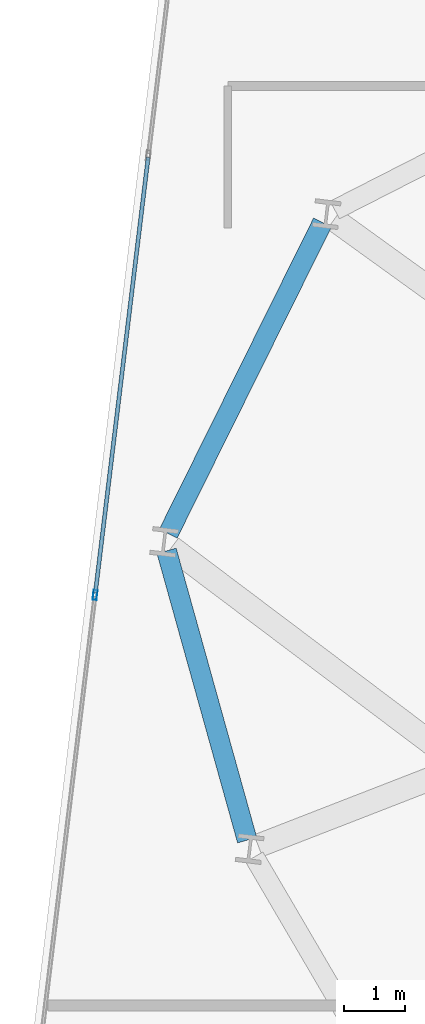
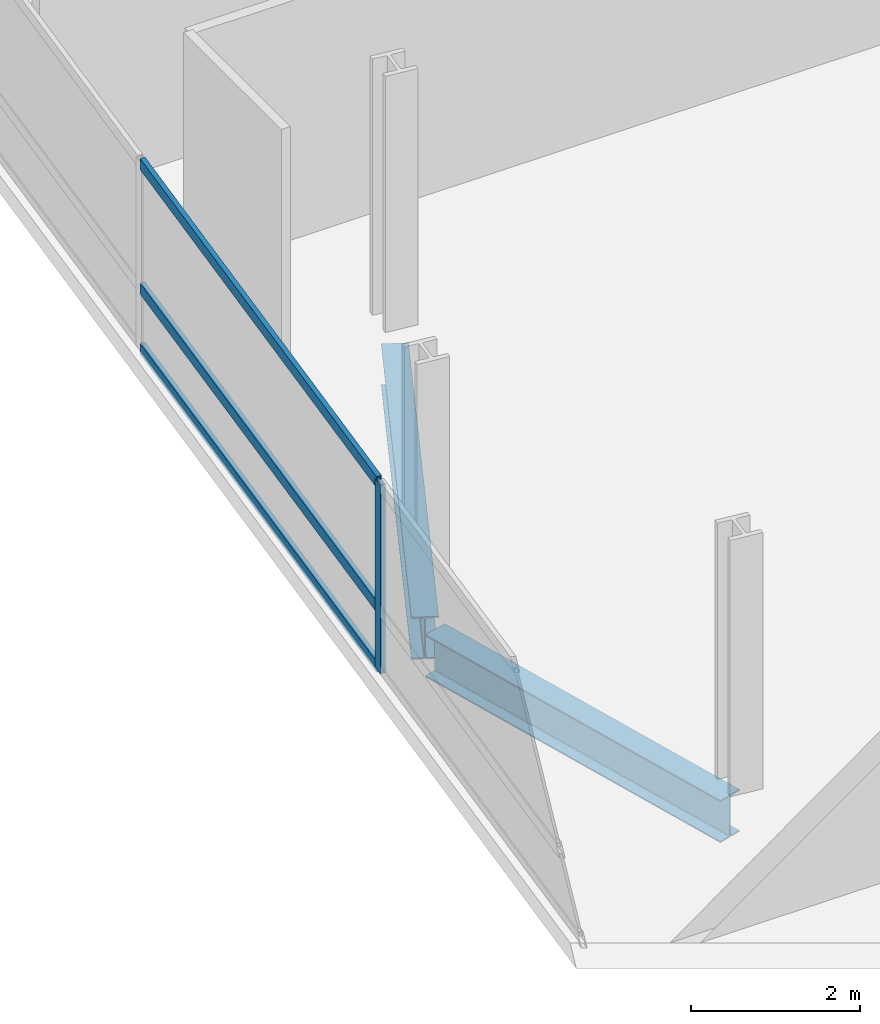
# One storey, part 8 of 26: 4 members, 2 beams, 1 element without a shape of its own.
"""IFC4 building model written with IfcOpenShell, lengths in metres."""

from ifc_helpers import new_model, si_unit, direction, frame, origin, origin_2d, place, context, subcontext, project, spatial, hollow_rectangle, i_section, extrude, material, layer, layer_set, material_profile, profile_set, type_object, element, aggregate, save


model = new_model("IFC4")

# Units and contexts
model_context = context("Model", 3, precision=1e-05, world=origin(), true_north=direction((0.0, 1.0)))
body_context = subcontext(model_context, "Body", "Model", "MODEL_VIEW")
ifc_project = project(units=[si_unit("LENGTHUNIT", "METRE"), si_unit("AREAUNIT", "SQUARE_METRE"), si_unit("VOLUMEUNIT", "CUBIC_METRE"), si_unit("PLANEANGLEUNIT", "RADIAN"), si_unit("MASSUNIT", "GRAM", prefix="KILO")], contexts=[model_context])

# Site, building, storey
site_placement = place(None, origin())
site = spatial("IfcSite", under=ifc_project, at=site_placement, CompositionType="ELEMENT")
building_placement = place(site_placement, origin())
building = spatial("IfcBuilding", under=site, at=building_placement, Name="Varnelok Gate Tower", CompositionType="ELEMENT")
storey_placement = place(building_placement, frame((0.0, 0.0, 147.60009765625)))
storey = spatial("IfcBuildingStorey", under=building, at=storey_placement, Name="L37", CompositionType="ELEMENT", Elevation=147.60009765625)

# Beams
ifc_material_1 = material(Name="Structural Steel ASTM A992 Grade 50", Category="steel")
ifc_material_profile_1 = material_profile(ifc_material_1, i_section(OverallWidth=0.323974609375, OverallDepth=0.611083984375, WebThickness=0.0126953125, FlangeThickness=0.01904296875, FilletRadius=0.01806640625, at=origin_2d()), Name="W24X104")
ifc_profile_set_1 = profile_set([ifc_material_profile_1], Name="Structural Steel ASTM A992 Grade 50")
beam_type = type_object("IfcBeamType", Name="BM-SPN-W24X104", PredefinedType="SPANDREL", material=ifc_profile_set_1)
beam_1_placement = place(storey_placement, frame((6.54052734375, 39.391357421875, -0.5556640625), z_axis=(-0.444186129993, -0.89593452993, 0.0), x_axis=(0.89593452993, -0.444186129993, 0.0)))
element("IfcBeam", 1, at=beam_1_placement, inside=storey, type_object=beam_type, Name="L37 Perimeter Spandrel Beam 14", PredefinedType="SPANDREL", context=body_context, shape_type="SweptSolid", body=[
    extrude(i_section(OverallWidth=0.323974609375, OverallDepth=0.611083984375, WebThickness=0.0126953125, FlangeThickness=0.01904296875, FilletRadius=0.01806640625, at=origin_2d()), origin(), (0.0, 0.0, 1.0), 5.649658203125),
])
beam_2_placement = place(storey_placement, frame((4.004638671875, 34.050537109375, -0.5556640625), z_axis=(0.268350251133, -0.963321411948, 0.0), x_axis=(0.963321411948, 0.268350251133, 0.0)))
element("IfcBeam", 2, at=beam_2_placement, inside=storey, type_object=beam_type, Name="L37 Perimeter Spandrel Beam 15", PredefinedType="SPANDREL", context=body_context, shape_type="SweptSolid", body=[
    extrude(i_section(OverallWidth=0.323974609375, OverallDepth=0.611083984375, WebThickness=0.0126953125, FlangeThickness=0.01904296875, FilletRadius=0.01806640625, at=origin_2d()), origin(), (0.0, 0.0, 1.0), 4.8837890625),
])

# Curtain wall, members
ifc_material_2 = material(Name="Anodized Aluminum Alloy 6063-T6", Category="aluminium")
ifc_layer = layer(ifc_material_2, 0.179931640625)
ifc_layer_set = layer_set([ifc_layer], Name="Anodized Aluminum Alloy 6063-T6")
curtain_wall_type = type_object("IfcCurtainWallType", Name="CW3-HOTEL-VISION", PredefinedType="USERDEFINED", material=ifc_layer_set)
curtain_wall_placement = place(storey_placement, origin())
curtain_wall = element("IfcCurtainWall", 3, at=curtain_wall_placement, inside=storey, type_object=curtain_wall_type, Name="L37 West End Vision Curtain Wall", ObjectType="UNITISED CURTAIN WALL", PredefinedType="USERDEFINED")
ifc_material_profile_2 = material_profile(ifc_material_2, hollow_rectangle(XDim=0.06494140625, YDim=0.159912109375, WallThickness=0.00390625, at=origin_2d()), Name="ALU160X65X4")
ifc_profile_set_2 = profile_set([ifc_material_profile_2], Name="Anodized Aluminum Alloy 6063-T6")
member_type_1 = type_object("IfcMemberType", Name="CW-MULL-160", PredefinedType="MULLION", material=ifc_profile_set_2)
member_1_placement = place(storey_placement, frame((2.842529296875, 33.333740234375, 0.0), z_axis=(0.0, 0.0, 1.0), x_axis=(-0.99273188146, 0.120347046212, 0.0)))
member_1 = element("IfcMember", 4, at=member_1_placement, type_object=member_type_1, Name="CW3 mullion 4", PredefinedType="MULLION", context=body_context, shape_type="SweptSolid", body=[
    extrude(hollow_rectangle(XDim=0.06494140625, YDim=0.159912109375, WallThickness=0.00390625, at=origin_2d()), origin(), (0.0, 0.0, 1.0), 2.72998046875),
])
ifc_material_profile_3 = material_profile(ifc_material_2, hollow_rectangle(XDim=0.06494140625, YDim=0.159912109375, WallThickness=0.00390625, at=origin_2d()), Name="ALU160X65X4")
ifc_profile_set_3 = profile_set([ifc_material_profile_3], Name="Anodized Aluminum Alloy 6063-T6")
member_type_2 = type_object("IfcMemberType", Name="CW-TRAN-160", PredefinedType="USERDEFINED", material=ifc_profile_set_3)
member_2_placement = place(storey_placement, frame((2.846435546875, 33.3662109375, 0.032470703125), z_axis=(0.120344652138, 0.992732171687, 0.0), x_axis=(-0.992732171687, 0.120344652138, 0.0)))
member_2 = element("IfcMember", 5, at=member_2_placement, type_object=member_type_2, Name="CW3 transom 4.1", ObjectType="TRANSOM", PredefinedType="USERDEFINED", context=body_context, shape_type="SweptSolid", body=[
    extrude(hollow_rectangle(XDim=0.06494140625, YDim=0.159912109375, WallThickness=0.00390625, at=origin_2d()), origin(), (0.0, 0.0, 1.0), 7.134765625),
])
member_3_placement = place(storey_placement, frame((2.846435546875, 33.3662109375, 0.89990234375), z_axis=(0.120344652138, 0.992732171687, 0.0), x_axis=(-0.992732171687, 0.120344652138, 0.0)))
member_3 = element("IfcMember", 6, at=member_3_placement, type_object=member_type_2, Name="CW3 transom 4.2", ObjectType="TRANSOM", PredefinedType="USERDEFINED", context=body_context, shape_type="SweptSolid", body=[
    extrude(hollow_rectangle(XDim=0.06494140625, YDim=0.159912109375, WallThickness=0.00390625, at=origin_2d()), origin(), (0.0, 0.0, 1.0), 7.134765625),
])
member_4_placement = place(storey_placement, frame((2.846435546875, 33.3662109375, 2.697509765625), z_axis=(0.120344652138, 0.992732171687, 0.0), x_axis=(-0.992732171687, 0.120344652138, 0.0)))
member_4 = element("IfcMember", 7, at=member_4_placement, type_object=member_type_2, Name="CW3 transom 4.3", ObjectType="TRANSOM", PredefinedType="USERDEFINED", context=body_context, shape_type="SweptSolid", body=[
    extrude(hollow_rectangle(XDim=0.06494140625, YDim=0.159912109375, WallThickness=0.00390625, at=origin_2d()), origin(), (0.0, 0.0, 1.0), 7.134765625),
])
aggregate(curtain_wall, [member_1, member_2, member_3, member_4])

save(model, "model.ifc")
